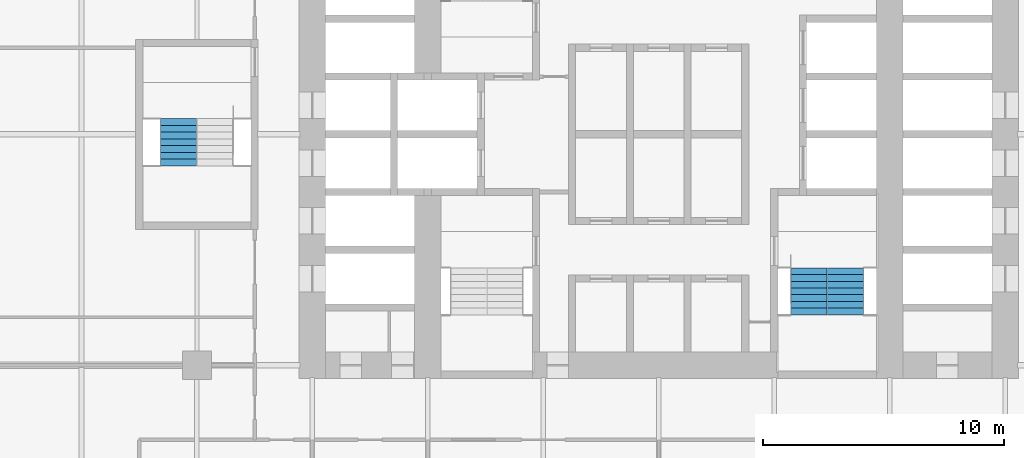
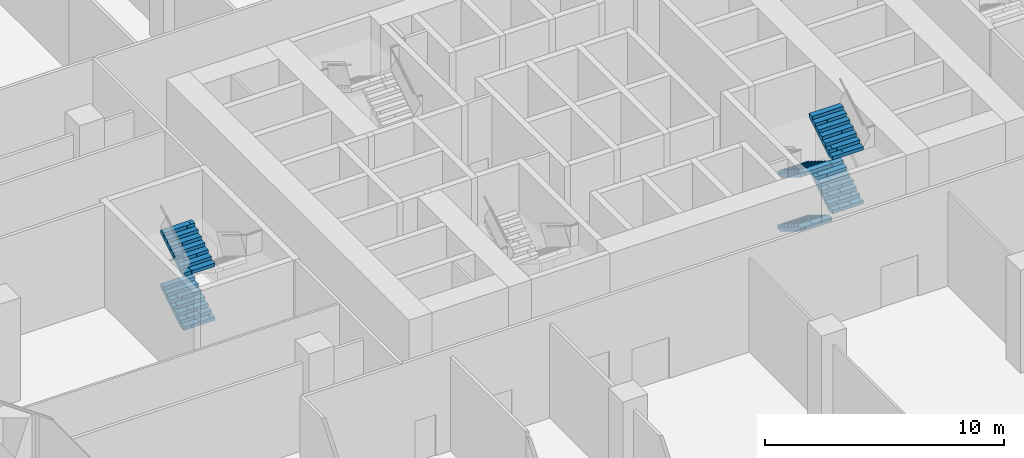
# One storey, part 23 of 27: 6 stair flights, 2 elements without a shape of their own.
"""IFC4 building model written with IfcOpenShell, lengths in metres."""

from ifc_helpers import new_model, si_unit, direction, frame, origin, place, context, subcontext, project, spatial, polyline, outline, extrude, material, type_object, element, aggregate, save


model = new_model("IFC4")

# Units and contexts
model_context = context("Model", 3, precision=1e-05, world=origin(), true_north=direction((0.0, 1.0)))
body_context = subcontext(model_context, "Body", "Model", "MODEL_VIEW")
ifc_project = project(units=[si_unit("LENGTHUNIT", "METRE"), si_unit("AREAUNIT", "SQUARE_METRE"), si_unit("VOLUMEUNIT", "CUBIC_METRE"), si_unit("PLANEANGLEUNIT", "RADIAN"), si_unit("MASSUNIT", "GRAM", prefix="KILO")], contexts=[model_context])

# Site, building, storey
site_placement = place(None, origin())
site = spatial("IfcSite", under=ifc_project, at=site_placement, CompositionType="ELEMENT")
building_placement = place(site_placement, origin())
building = spatial("IfcBuilding", under=site, at=building_placement, Name="Kolab Exchange Tower", CompositionType="ELEMENT")
storey_placement = place(building_placement, frame((0.0, 0.0, 27.89990234375)))
storey = spatial("IfcBuildingStorey", under=building, at=storey_placement, Name="L05", CompositionType="ELEMENT", Elevation=27.89990234375)

# Stair, stair flights
ifc_material = material(Name="Concrete C50/60", Category="concrete")
stair_type_1 = type_object("IfcStairType", Name="STAIR ST2 RISER 171.9", PredefinedType="DOUBLE_RETURN_STAIR", material=ifc_material)
stair_1_placement = place(storey_placement, origin())
stair_1 = element("IfcStair", 1, at=stair_1_placement, inside=storey, type_object=stair_type_1, Name="Stair 2", PredefinedType="DOUBLE_RETURN_STAIR")
stair_flight_type = type_object("IfcStairFlightType", Name="STAIR FLIGHT 1500 RISER 171.9", PredefinedType="STRAIGHT", material=ifc_material)
stair_flight_1_placement = place(storey_placement, frame((6.239990234375, -5.550048828125, 0.0), z_axis=(0.0, 0.0, 1.0), x_axis=(0.0, -1.0, 0.0)))
stair_flight_1 = element("IfcStairFlight", 2, at=stair_flight_1_placement, type_object=stair_flight_type, Name="ST2 flight 1", NumberOfRisers=8, NumberOfTreads=7, PredefinedType="STRAIGHT", RiserHeight=0.171875, TreadLength=0.28, context=body_context, shape_type="SweptSolid", body=[
    extrude(outline(polyline([(0.0, 0.0), (0.0, 0.171875), (0.280029296875, 0.171875), (0.280029296875, 0.34375), (0.56005859375, 0.34375), (0.56005859375, 0.515625), (0.840087890625, 0.515625), (0.840087890625, 0.6875), (1.1201171875, 0.6875), (1.1201171875, 0.859375), (1.39990234375, 0.859375), (1.39990234375, 1.03125), (1.679931640625, 1.03125), (1.679931640625, 1.203125), (1.9599609375, 1.203125), (1.9599609375, 1.375), (1.9599609375, 1.02734375), (0.28662109375, 0.0), (0.0, 0.0)])), frame((0.0, 0.75, 0.0), z_axis=(0.0, -1.0, 0.0), x_axis=(1.0, 0.0, 0.0)), (0.0, 0.0, 1.0), 0.185791015625),
    extrude(outline(polyline([(0.0, 0.0), (0.0, 0.171875), (0.280029296875, 0.171875), (0.280029296875, 0.34375), (0.56005859375, 0.34375), (0.56005859375, 0.515625), (0.840087890625, 0.515625), (0.840087890625, 0.6875), (1.1201171875, 0.6875), (1.1201171875, 0.859375), (1.39990234375, 0.859375), (1.39990234375, 1.03125), (1.679931640625, 1.03125), (1.679931640625, 1.203125), (1.9599609375, 1.203125), (1.9599609375, 1.375), (1.9599609375, 1.02734375), (0.28662109375, 0.0), (0.0, 0.0)])), frame((0.0, 0.562255859375, 0.0), z_axis=(0.0, -1.0, 0.0), x_axis=(1.0, 0.0, 0.0)), (0.0, 0.0, 1.0), 0.185791015625),
    extrude(outline(polyline([(0.0, 0.0), (0.0, 0.171875), (0.280029296875, 0.171875), (0.280029296875, 0.34375), (0.56005859375, 0.34375), (0.56005859375, 0.515625), (0.840087890625, 0.515625), (0.840087890625, 0.6875), (1.1201171875, 0.6875), (1.1201171875, 0.859375), (1.39990234375, 0.859375), (1.39990234375, 1.03125), (1.679931640625, 1.03125), (1.679931640625, 1.203125), (1.9599609375, 1.203125), (1.9599609375, 1.375), (1.9599609375, 1.02734375), (0.28662109375, 0.0), (0.0, 0.0)])), frame((0.0, 0.37451171875, 0.0), z_axis=(0.0, -1.0, 0.0), x_axis=(1.0, 0.0, 0.0)), (0.0, 0.0, 1.0), 0.185791015625),
    extrude(outline(polyline([(0.0, 0.0), (0.0, 0.171875), (0.280029296875, 0.171875), (0.280029296875, 0.34375), (0.56005859375, 0.34375), (0.56005859375, 0.515625), (0.840087890625, 0.515625), (0.840087890625, 0.6875), (1.1201171875, 0.6875), (1.1201171875, 0.859375), (1.39990234375, 0.859375), (1.39990234375, 1.03125), (1.679931640625, 1.03125), (1.679931640625, 1.203125), (1.9599609375, 1.203125), (1.9599609375, 1.375), (1.9599609375, 1.02734375), (0.28662109375, 0.0), (0.0, 0.0)])), frame((0.0, 0.186767578125, 0.0), z_axis=(0.0, -1.0, 0.0), x_axis=(1.0, 0.0, 0.0)), (0.0, 0.0, 1.0), 0.185791015625),
    extrude(outline(polyline([(0.0, 0.0), (0.0, 0.171875), (0.280029296875, 0.171875), (0.280029296875, 0.34375), (0.56005859375, 0.34375), (0.56005859375, 0.515625), (0.840087890625, 0.515625), (0.840087890625, 0.6875), (1.1201171875, 0.6875), (1.1201171875, 0.859375), (1.39990234375, 0.859375), (1.39990234375, 1.03125), (1.679931640625, 1.03125), (1.679931640625, 1.203125), (1.9599609375, 1.203125), (1.9599609375, 1.375), (1.9599609375, 1.02734375), (0.28662109375, 0.0), (0.0, 0.0)])), frame((0.0, -0.0009765625, 0.0), z_axis=(0.0, -1.0, 0.0), x_axis=(1.0, 0.0, 0.0)), (0.0, 0.0, 1.0), 0.185791015625),
    extrude(outline(polyline([(0.0, 0.0), (0.0, 0.171875), (0.280029296875, 0.171875), (0.280029296875, 0.34375), (0.56005859375, 0.34375), (0.56005859375, 0.515625), (0.840087890625, 0.515625), (0.840087890625, 0.6875), (1.1201171875, 0.6875), (1.1201171875, 0.859375), (1.39990234375, 0.859375), (1.39990234375, 1.03125), (1.679931640625, 1.03125), (1.679931640625, 1.203125), (1.9599609375, 1.203125), (1.9599609375, 1.375), (1.9599609375, 1.02734375), (0.28662109375, 0.0), (0.0, 0.0)])), frame((0.0, -0.188720703125, 0.0), z_axis=(0.0, -1.0, 0.0), x_axis=(1.0, 0.0, 0.0)), (0.0, 0.0, 1.0), 0.185791015625),
    extrude(outline(polyline([(0.0, 0.0), (0.0, 0.171875), (0.280029296875, 0.171875), (0.280029296875, 0.34375), (0.56005859375, 0.34375), (0.56005859375, 0.515625), (0.840087890625, 0.515625), (0.840087890625, 0.6875), (1.1201171875, 0.6875), (1.1201171875, 0.859375), (1.39990234375, 0.859375), (1.39990234375, 1.03125), (1.679931640625, 1.03125), (1.679931640625, 1.203125), (1.9599609375, 1.203125), (1.9599609375, 1.375), (1.9599609375, 1.02734375), (0.28662109375, 0.0), (0.0, 0.0)])), frame((0.0, -0.37646484375, 0.0), z_axis=(0.0, -1.0, 0.0), x_axis=(1.0, 0.0, 0.0)), (0.0, 0.0, 1.0), 0.185791015625),
    extrude(outline(polyline([(0.0, 0.0), (0.0, 0.171875), (0.280029296875, 0.171875), (0.280029296875, 0.34375), (0.56005859375, 0.34375), (0.56005859375, 0.515625), (0.840087890625, 0.515625), (0.840087890625, 0.6875), (1.1201171875, 0.6875), (1.1201171875, 0.859375), (1.39990234375, 0.859375), (1.39990234375, 1.03125), (1.679931640625, 1.03125), (1.679931640625, 1.203125), (1.9599609375, 1.203125), (1.9599609375, 1.375), (1.9599609375, 1.02734375), (0.28662109375, 0.0), (0.0, 0.0)])), frame((0.0, -0.564208984375, 0.0), z_axis=(0.0, -1.0, 0.0), x_axis=(1.0, 0.0, 0.0)), (0.0, 0.0, 1.0), 0.185791015625),
])
stair_flight_2_placement = place(storey_placement, frame((7.760009765625, -7.510009765625, 1.375), z_axis=(0.0, 0.0, 1.0), x_axis=(0.0, 1.0, 0.0)))
stair_flight_2 = element("IfcStairFlight", 3, at=stair_flight_2_placement, type_object=stair_flight_type, Name="ST2 flight 2", NumberOfRisers=8, NumberOfTreads=7, PredefinedType="STRAIGHT", RiserHeight=0.171875, TreadLength=0.28, context=body_context, shape_type="SweptSolid", body=[
    extrude(outline(polyline([(0.0, 0.0), (0.0, 0.171875), (0.280029296875, 0.171875), (0.280029296875, 0.34375), (0.56005859375, 0.34375), (0.56005859375, 0.515625), (0.840087890625, 0.515625), (0.840087890625, 0.6875), (1.1201171875, 0.6875), (1.1201171875, 0.859375), (1.39990234375, 0.859375), (1.39990234375, 1.03125), (1.679931640625, 1.03125), (1.679931640625, 1.203125), (1.9599609375, 1.203125), (1.9599609375, 1.375), (1.9599609375, 1.02734375), (0.28662109375, 0.0), (0.0, 0.0)])), frame((0.0, 0.75, 0.0), z_axis=(0.0, -1.0, 0.0), x_axis=(1.0, 0.0, 0.0)), (0.0, 0.0, 1.0), 0.185791015625),
    extrude(outline(polyline([(0.0, 0.0), (0.0, 0.171875), (0.280029296875, 0.171875), (0.280029296875, 0.34375), (0.56005859375, 0.34375), (0.56005859375, 0.515625), (0.840087890625, 0.515625), (0.840087890625, 0.6875), (1.1201171875, 0.6875), (1.1201171875, 0.859375), (1.39990234375, 0.859375), (1.39990234375, 1.03125), (1.679931640625, 1.03125), (1.679931640625, 1.203125), (1.9599609375, 1.203125), (1.9599609375, 1.375), (1.9599609375, 1.02734375), (0.28662109375, 0.0), (0.0, 0.0)])), frame((0.0, 0.562255859375, 0.0), z_axis=(0.0, -1.0, 0.0), x_axis=(1.0, 0.0, 0.0)), (0.0, 0.0, 1.0), 0.185791015625),
    extrude(outline(polyline([(0.0, 0.0), (0.0, 0.171875), (0.280029296875, 0.171875), (0.280029296875, 0.34375), (0.56005859375, 0.34375), (0.56005859375, 0.515625), (0.840087890625, 0.515625), (0.840087890625, 0.6875), (1.1201171875, 0.6875), (1.1201171875, 0.859375), (1.39990234375, 0.859375), (1.39990234375, 1.03125), (1.679931640625, 1.03125), (1.679931640625, 1.203125), (1.9599609375, 1.203125), (1.9599609375, 1.375), (1.9599609375, 1.02734375), (0.28662109375, 0.0), (0.0, 0.0)])), frame((0.0, 0.37451171875, 0.0), z_axis=(0.0, -1.0, 0.0), x_axis=(1.0, 0.0, 0.0)), (0.0, 0.0, 1.0), 0.185791015625),
    extrude(outline(polyline([(0.0, 0.0), (0.0, 0.171875), (0.280029296875, 0.171875), (0.280029296875, 0.34375), (0.56005859375, 0.34375), (0.56005859375, 0.515625), (0.840087890625, 0.515625), (0.840087890625, 0.6875), (1.1201171875, 0.6875), (1.1201171875, 0.859375), (1.39990234375, 0.859375), (1.39990234375, 1.03125), (1.679931640625, 1.03125), (1.679931640625, 1.203125), (1.9599609375, 1.203125), (1.9599609375, 1.375), (1.9599609375, 1.02734375), (0.28662109375, 0.0), (0.0, 0.0)])), frame((0.0, 0.186767578125, 0.0), z_axis=(0.0, -1.0, 0.0), x_axis=(1.0, 0.0, 0.0)), (0.0, 0.0, 1.0), 0.185791015625),
    extrude(outline(polyline([(0.0, 0.0), (0.0, 0.171875), (0.280029296875, 0.171875), (0.280029296875, 0.34375), (0.56005859375, 0.34375), (0.56005859375, 0.515625), (0.840087890625, 0.515625), (0.840087890625, 0.6875), (1.1201171875, 0.6875), (1.1201171875, 0.859375), (1.39990234375, 0.859375), (1.39990234375, 1.03125), (1.679931640625, 1.03125), (1.679931640625, 1.203125), (1.9599609375, 1.203125), (1.9599609375, 1.375), (1.9599609375, 1.02734375), (0.28662109375, 0.0), (0.0, 0.0)])), frame((0.0, -0.0009765625, 0.0), z_axis=(0.0, -1.0, 0.0), x_axis=(1.0, 0.0, 0.0)), (0.0, 0.0, 1.0), 0.185791015625),
    extrude(outline(polyline([(0.0, 0.0), (0.0, 0.171875), (0.280029296875, 0.171875), (0.280029296875, 0.34375), (0.56005859375, 0.34375), (0.56005859375, 0.515625), (0.840087890625, 0.515625), (0.840087890625, 0.6875), (1.1201171875, 0.6875), (1.1201171875, 0.859375), (1.39990234375, 0.859375), (1.39990234375, 1.03125), (1.679931640625, 1.03125), (1.679931640625, 1.203125), (1.9599609375, 1.203125), (1.9599609375, 1.375), (1.9599609375, 1.02734375), (0.28662109375, 0.0), (0.0, 0.0)])), frame((0.0, -0.188720703125, 0.0), z_axis=(0.0, -1.0, 0.0), x_axis=(1.0, 0.0, 0.0)), (0.0, 0.0, 1.0), 0.185791015625),
    extrude(outline(polyline([(0.0, 0.0), (0.0, 0.171875), (0.280029296875, 0.171875), (0.280029296875, 0.34375), (0.56005859375, 0.34375), (0.56005859375, 0.515625), (0.840087890625, 0.515625), (0.840087890625, 0.6875), (1.1201171875, 0.6875), (1.1201171875, 0.859375), (1.39990234375, 0.859375), (1.39990234375, 1.03125), (1.679931640625, 1.03125), (1.679931640625, 1.203125), (1.9599609375, 1.203125), (1.9599609375, 1.375), (1.9599609375, 1.02734375), (0.28662109375, 0.0), (0.0, 0.0)])), frame((0.0, -0.37646484375, 0.0), z_axis=(0.0, -1.0, 0.0), x_axis=(1.0, 0.0, 0.0)), (0.0, 0.0, 1.0), 0.185791015625),
    extrude(outline(polyline([(0.0, 0.0), (0.0, 0.171875), (0.280029296875, 0.171875), (0.280029296875, 0.34375), (0.56005859375, 0.34375), (0.56005859375, 0.515625), (0.840087890625, 0.515625), (0.840087890625, 0.6875), (1.1201171875, 0.6875), (1.1201171875, 0.859375), (1.39990234375, 0.859375), (1.39990234375, 1.03125), (1.679931640625, 1.03125), (1.679931640625, 1.203125), (1.9599609375, 1.203125), (1.9599609375, 1.375), (1.9599609375, 1.02734375), (0.28662109375, 0.0), (0.0, 0.0)])), frame((0.0, -0.564208984375, 0.0), z_axis=(0.0, -1.0, 0.0), x_axis=(1.0, 0.0, 0.0)), (0.0, 0.0, 1.0), 0.185791015625),
])
stair_flight_3_placement = place(storey_placement, frame((6.239990234375, -5.550048828125, 2.75), z_axis=(0.0, 0.0, 1.0), x_axis=(0.0, -1.0, 0.0)))
stair_flight_3 = element("IfcStairFlight", 4, at=stair_flight_3_placement, type_object=stair_flight_type, Name="ST2 flight 3", NumberOfRisers=8, NumberOfTreads=7, PredefinedType="STRAIGHT", RiserHeight=0.171875, TreadLength=0.28, context=body_context, shape_type="SweptSolid", body=[
    extrude(outline(polyline([(0.0, 0.0), (0.0, 0.171875), (0.280029296875, 0.171875), (0.280029296875, 0.34375), (0.56005859375, 0.34375), (0.56005859375, 0.515625), (0.840087890625, 0.515625), (0.840087890625, 0.6875), (1.1201171875, 0.6875), (1.1201171875, 0.859375), (1.39990234375, 0.859375), (1.39990234375, 1.03125), (1.679931640625, 1.03125), (1.679931640625, 1.203125), (1.9599609375, 1.203125), (1.9599609375, 1.375), (1.9599609375, 1.02734375), (0.28662109375, 0.0), (0.0, 0.0)])), frame((0.0, 0.75, 0.0), z_axis=(0.0, -1.0, 0.0), x_axis=(1.0, 0.0, 0.0)), (0.0, 0.0, 1.0), 0.185791015625),
    extrude(outline(polyline([(0.0, 0.0), (0.0, 0.171875), (0.280029296875, 0.171875), (0.280029296875, 0.34375), (0.56005859375, 0.34375), (0.56005859375, 0.515625), (0.840087890625, 0.515625), (0.840087890625, 0.6875), (1.1201171875, 0.6875), (1.1201171875, 0.859375), (1.39990234375, 0.859375), (1.39990234375, 1.03125), (1.679931640625, 1.03125), (1.679931640625, 1.203125), (1.9599609375, 1.203125), (1.9599609375, 1.375), (1.9599609375, 1.02734375), (0.28662109375, 0.0), (0.0, 0.0)])), frame((0.0, 0.562255859375, 0.0), z_axis=(0.0, -1.0, 0.0), x_axis=(1.0, 0.0, 0.0)), (0.0, 0.0, 1.0), 0.185791015625),
    extrude(outline(polyline([(0.0, 0.0), (0.0, 0.171875), (0.280029296875, 0.171875), (0.280029296875, 0.34375), (0.56005859375, 0.34375), (0.56005859375, 0.515625), (0.840087890625, 0.515625), (0.840087890625, 0.6875), (1.1201171875, 0.6875), (1.1201171875, 0.859375), (1.39990234375, 0.859375), (1.39990234375, 1.03125), (1.679931640625, 1.03125), (1.679931640625, 1.203125), (1.9599609375, 1.203125), (1.9599609375, 1.375), (1.9599609375, 1.02734375), (0.28662109375, 0.0), (0.0, 0.0)])), frame((0.0, 0.37451171875, 0.0), z_axis=(0.0, -1.0, 0.0), x_axis=(1.0, 0.0, 0.0)), (0.0, 0.0, 1.0), 0.185791015625),
    extrude(outline(polyline([(0.0, 0.0), (0.0, 0.171875), (0.280029296875, 0.171875), (0.280029296875, 0.34375), (0.56005859375, 0.34375), (0.56005859375, 0.515625), (0.840087890625, 0.515625), (0.840087890625, 0.6875), (1.1201171875, 0.6875), (1.1201171875, 0.859375), (1.39990234375, 0.859375), (1.39990234375, 1.03125), (1.679931640625, 1.03125), (1.679931640625, 1.203125), (1.9599609375, 1.203125), (1.9599609375, 1.375), (1.9599609375, 1.02734375), (0.28662109375, 0.0), (0.0, 0.0)])), frame((0.0, 0.186767578125, 0.0), z_axis=(0.0, -1.0, 0.0), x_axis=(1.0, 0.0, 0.0)), (0.0, 0.0, 1.0), 0.185791015625),
    extrude(outline(polyline([(0.0, 0.0), (0.0, 0.171875), (0.280029296875, 0.171875), (0.280029296875, 0.34375), (0.56005859375, 0.34375), (0.56005859375, 0.515625), (0.840087890625, 0.515625), (0.840087890625, 0.6875), (1.1201171875, 0.6875), (1.1201171875, 0.859375), (1.39990234375, 0.859375), (1.39990234375, 1.03125), (1.679931640625, 1.03125), (1.679931640625, 1.203125), (1.9599609375, 1.203125), (1.9599609375, 1.375), (1.9599609375, 1.02734375), (0.28662109375, 0.0), (0.0, 0.0)])), frame((0.0, -0.0009765625, 0.0), z_axis=(0.0, -1.0, 0.0), x_axis=(1.0, 0.0, 0.0)), (0.0, 0.0, 1.0), 0.185791015625),
    extrude(outline(polyline([(0.0, 0.0), (0.0, 0.171875), (0.280029296875, 0.171875), (0.280029296875, 0.34375), (0.56005859375, 0.34375), (0.56005859375, 0.515625), (0.840087890625, 0.515625), (0.840087890625, 0.6875), (1.1201171875, 0.6875), (1.1201171875, 0.859375), (1.39990234375, 0.859375), (1.39990234375, 1.03125), (1.679931640625, 1.03125), (1.679931640625, 1.203125), (1.9599609375, 1.203125), (1.9599609375, 1.375), (1.9599609375, 1.02734375), (0.28662109375, 0.0), (0.0, 0.0)])), frame((0.0, -0.188720703125, 0.0), z_axis=(0.0, -1.0, 0.0), x_axis=(1.0, 0.0, 0.0)), (0.0, 0.0, 1.0), 0.185791015625),
    extrude(outline(polyline([(0.0, 0.0), (0.0, 0.171875), (0.280029296875, 0.171875), (0.280029296875, 0.34375), (0.56005859375, 0.34375), (0.56005859375, 0.515625), (0.840087890625, 0.515625), (0.840087890625, 0.6875), (1.1201171875, 0.6875), (1.1201171875, 0.859375), (1.39990234375, 0.859375), (1.39990234375, 1.03125), (1.679931640625, 1.03125), (1.679931640625, 1.203125), (1.9599609375, 1.203125), (1.9599609375, 1.375), (1.9599609375, 1.02734375), (0.28662109375, 0.0), (0.0, 0.0)])), frame((0.0, -0.37646484375, 0.0), z_axis=(0.0, -1.0, 0.0), x_axis=(1.0, 0.0, 0.0)), (0.0, 0.0, 1.0), 0.185791015625),
    extrude(outline(polyline([(0.0, 0.0), (0.0, 0.171875), (0.280029296875, 0.171875), (0.280029296875, 0.34375), (0.56005859375, 0.34375), (0.56005859375, 0.515625), (0.840087890625, 0.515625), (0.840087890625, 0.6875), (1.1201171875, 0.6875), (1.1201171875, 0.859375), (1.39990234375, 0.859375), (1.39990234375, 1.03125), (1.679931640625, 1.03125), (1.679931640625, 1.203125), (1.9599609375, 1.203125), (1.9599609375, 1.375), (1.9599609375, 1.02734375), (0.28662109375, 0.0), (0.0, 0.0)])), frame((0.0, -0.564208984375, 0.0), z_axis=(0.0, -1.0, 0.0), x_axis=(1.0, 0.0, 0.0)), (0.0, 0.0, 1.0), 0.185791015625),
])
stair_flight_4_placement = place(storey_placement, frame((7.760009765625, -7.510009765625, 4.125), z_axis=(0.0, 0.0, 1.0), x_axis=(0.0, 1.0, 0.0)))
stair_flight_4 = element("IfcStairFlight", 5, at=stair_flight_4_placement, type_object=stair_flight_type, Name="ST2 flight 4", NumberOfRisers=8, NumberOfTreads=7, PredefinedType="STRAIGHT", RiserHeight=0.171875, TreadLength=0.28, context=body_context, shape_type="SweptSolid", body=[
    extrude(outline(polyline([(0.0, 0.0), (0.0, 0.171875), (0.280029296875, 0.171875), (0.280029296875, 0.34375), (0.56005859375, 0.34375), (0.56005859375, 0.515625), (0.840087890625, 0.515625), (0.840087890625, 0.6875), (1.1201171875, 0.6875), (1.1201171875, 0.859375), (1.39990234375, 0.859375), (1.39990234375, 1.03125), (1.679931640625, 1.03125), (1.679931640625, 1.203125), (1.9599609375, 1.203125), (1.9599609375, 1.375), (1.9599609375, 1.02734375), (0.28662109375, 0.0), (0.0, 0.0)])), frame((0.0, 0.75, 0.0), z_axis=(0.0, -1.0, 0.0), x_axis=(1.0, 0.0, 0.0)), (0.0, 0.0, 1.0), 0.185791015625),
    extrude(outline(polyline([(0.0, 0.0), (0.0, 0.171875), (0.280029296875, 0.171875), (0.280029296875, 0.34375), (0.56005859375, 0.34375), (0.56005859375, 0.515625), (0.840087890625, 0.515625), (0.840087890625, 0.6875), (1.1201171875, 0.6875), (1.1201171875, 0.859375), (1.39990234375, 0.859375), (1.39990234375, 1.03125), (1.679931640625, 1.03125), (1.679931640625, 1.203125), (1.9599609375, 1.203125), (1.9599609375, 1.375), (1.9599609375, 1.02734375), (0.28662109375, 0.0), (0.0, 0.0)])), frame((0.0, 0.562255859375, 0.0), z_axis=(0.0, -1.0, 0.0), x_axis=(1.0, 0.0, 0.0)), (0.0, 0.0, 1.0), 0.185791015625),
    extrude(outline(polyline([(0.0, 0.0), (0.0, 0.171875), (0.280029296875, 0.171875), (0.280029296875, 0.34375), (0.56005859375, 0.34375), (0.56005859375, 0.515625), (0.840087890625, 0.515625), (0.840087890625, 0.6875), (1.1201171875, 0.6875), (1.1201171875, 0.859375), (1.39990234375, 0.859375), (1.39990234375, 1.03125), (1.679931640625, 1.03125), (1.679931640625, 1.203125), (1.9599609375, 1.203125), (1.9599609375, 1.375), (1.9599609375, 1.02734375), (0.28662109375, 0.0), (0.0, 0.0)])), frame((0.0, 0.37451171875, 0.0), z_axis=(0.0, -1.0, 0.0), x_axis=(1.0, 0.0, 0.0)), (0.0, 0.0, 1.0), 0.185791015625),
    extrude(outline(polyline([(0.0, 0.0), (0.0, 0.171875), (0.280029296875, 0.171875), (0.280029296875, 0.34375), (0.56005859375, 0.34375), (0.56005859375, 0.515625), (0.840087890625, 0.515625), (0.840087890625, 0.6875), (1.1201171875, 0.6875), (1.1201171875, 0.859375), (1.39990234375, 0.859375), (1.39990234375, 1.03125), (1.679931640625, 1.03125), (1.679931640625, 1.203125), (1.9599609375, 1.203125), (1.9599609375, 1.375), (1.9599609375, 1.02734375), (0.28662109375, 0.0), (0.0, 0.0)])), frame((0.0, 0.186767578125, 0.0), z_axis=(0.0, -1.0, 0.0), x_axis=(1.0, 0.0, 0.0)), (0.0, 0.0, 1.0), 0.185791015625),
    extrude(outline(polyline([(0.0, 0.0), (0.0, 0.171875), (0.280029296875, 0.171875), (0.280029296875, 0.34375), (0.56005859375, 0.34375), (0.56005859375, 0.515625), (0.840087890625, 0.515625), (0.840087890625, 0.6875), (1.1201171875, 0.6875), (1.1201171875, 0.859375), (1.39990234375, 0.859375), (1.39990234375, 1.03125), (1.679931640625, 1.03125), (1.679931640625, 1.203125), (1.9599609375, 1.203125), (1.9599609375, 1.375), (1.9599609375, 1.02734375), (0.28662109375, 0.0), (0.0, 0.0)])), frame((0.0, -0.0009765625, 0.0), z_axis=(0.0, -1.0, 0.0), x_axis=(1.0, 0.0, 0.0)), (0.0, 0.0, 1.0), 0.185791015625),
    extrude(outline(polyline([(0.0, 0.0), (0.0, 0.171875), (0.280029296875, 0.171875), (0.280029296875, 0.34375), (0.56005859375, 0.34375), (0.56005859375, 0.515625), (0.840087890625, 0.515625), (0.840087890625, 0.6875), (1.1201171875, 0.6875), (1.1201171875, 0.859375), (1.39990234375, 0.859375), (1.39990234375, 1.03125), (1.679931640625, 1.03125), (1.679931640625, 1.203125), (1.9599609375, 1.203125), (1.9599609375, 1.375), (1.9599609375, 1.02734375), (0.28662109375, 0.0), (0.0, 0.0)])), frame((0.0, -0.188720703125, 0.0), z_axis=(0.0, -1.0, 0.0), x_axis=(1.0, 0.0, 0.0)), (0.0, 0.0, 1.0), 0.185791015625),
    extrude(outline(polyline([(0.0, 0.0), (0.0, 0.171875), (0.280029296875, 0.171875), (0.280029296875, 0.34375), (0.56005859375, 0.34375), (0.56005859375, 0.515625), (0.840087890625, 0.515625), (0.840087890625, 0.6875), (1.1201171875, 0.6875), (1.1201171875, 0.859375), (1.39990234375, 0.859375), (1.39990234375, 1.03125), (1.679931640625, 1.03125), (1.679931640625, 1.203125), (1.9599609375, 1.203125), (1.9599609375, 1.375), (1.9599609375, 1.02734375), (0.28662109375, 0.0), (0.0, 0.0)])), frame((0.0, -0.37646484375, 0.0), z_axis=(0.0, -1.0, 0.0), x_axis=(1.0, 0.0, 0.0)), (0.0, 0.0, 1.0), 0.185791015625),
    extrude(outline(polyline([(0.0, 0.0), (0.0, 0.171875), (0.280029296875, 0.171875), (0.280029296875, 0.34375), (0.56005859375, 0.34375), (0.56005859375, 0.515625), (0.840087890625, 0.515625), (0.840087890625, 0.6875), (1.1201171875, 0.6875), (1.1201171875, 0.859375), (1.39990234375, 0.859375), (1.39990234375, 1.03125), (1.679931640625, 1.03125), (1.679931640625, 1.203125), (1.9599609375, 1.203125), (1.9599609375, 1.375), (1.9599609375, 1.02734375), (0.28662109375, 0.0), (0.0, 0.0)])), frame((0.0, -0.564208984375, 0.0), z_axis=(0.0, -1.0, 0.0), x_axis=(1.0, 0.0, 0.0)), (0.0, 0.0, 1.0), 0.185791015625),
])
aggregate(stair_1, [stair_flight_1, stair_flight_2, stair_flight_3, stair_flight_4])

stair_type_2 = type_object("IfcStairType", Name="STAIR ST5 RISER 171.9", PredefinedType="DOUBLE_RETURN_STAIR", material=ifc_material)
stair_2_placement = place(storey_placement, origin())
stair_2 = element("IfcStair", 6, at=stair_2_placement, inside=storey, type_object=stair_type_2, Name="Stair 5", PredefinedType="DOUBLE_RETURN_STAIR")
stair_flight_5_placement = place(storey_placement, frame((-19.9599609375, -1.31005859375, 1.375), z_axis=(0.0, 0.0, 1.0), x_axis=(0.0, 1.0, 0.0)))
stair_flight_5 = element("IfcStairFlight", 7, at=stair_flight_5_placement, type_object=stair_flight_type, Name="ST5 flight 2", NumberOfRisers=8, NumberOfTreads=7, PredefinedType="STRAIGHT", RiserHeight=0.171875, TreadLength=0.28, context=body_context, shape_type="SweptSolid", body=[
    extrude(outline(polyline([(0.0, 0.0), (0.0, 0.171875), (0.280029296875, 0.171875), (0.280029296875, 0.34375), (0.56005859375, 0.34375), (0.56005859375, 0.515625), (0.840087890625, 0.515625), (0.840087890625, 0.6875), (1.1201171875, 0.6875), (1.1201171875, 0.859375), (1.39990234375, 0.859375), (1.39990234375, 1.03125), (1.679931640625, 1.03125), (1.679931640625, 1.203125), (1.9599609375, 1.203125), (1.9599609375, 1.375), (1.9599609375, 1.02734375), (0.28662109375, 0.0), (0.0, 0.0)])), frame((0.0, 0.75, 0.0), z_axis=(0.0, -1.0, 0.0), x_axis=(1.0, 0.0, 0.0)), (0.0, 0.0, 1.0), 0.185791015625),
    extrude(outline(polyline([(0.0, 0.0), (0.0, 0.171875), (0.280029296875, 0.171875), (0.280029296875, 0.34375), (0.56005859375, 0.34375), (0.56005859375, 0.515625), (0.840087890625, 0.515625), (0.840087890625, 0.6875), (1.1201171875, 0.6875), (1.1201171875, 0.859375), (1.39990234375, 0.859375), (1.39990234375, 1.03125), (1.679931640625, 1.03125), (1.679931640625, 1.203125), (1.9599609375, 1.203125), (1.9599609375, 1.375), (1.9599609375, 1.02734375), (0.28662109375, 0.0), (0.0, 0.0)])), frame((0.0, 0.562255859375, 0.0), z_axis=(0.0, -1.0, 0.0), x_axis=(1.0, 0.0, 0.0)), (0.0, 0.0, 1.0), 0.185791015625),
    extrude(outline(polyline([(0.0, 0.0), (0.0, 0.171875), (0.280029296875, 0.171875), (0.280029296875, 0.34375), (0.56005859375, 0.34375), (0.56005859375, 0.515625), (0.840087890625, 0.515625), (0.840087890625, 0.6875), (1.1201171875, 0.6875), (1.1201171875, 0.859375), (1.39990234375, 0.859375), (1.39990234375, 1.03125), (1.679931640625, 1.03125), (1.679931640625, 1.203125), (1.9599609375, 1.203125), (1.9599609375, 1.375), (1.9599609375, 1.02734375), (0.28662109375, 0.0), (0.0, 0.0)])), frame((0.0, 0.37451171875, 0.0), z_axis=(0.0, -1.0, 0.0), x_axis=(1.0, 0.0, 0.0)), (0.0, 0.0, 1.0), 0.185791015625),
    extrude(outline(polyline([(0.0, 0.0), (0.0, 0.171875), (0.280029296875, 0.171875), (0.280029296875, 0.34375), (0.56005859375, 0.34375), (0.56005859375, 0.515625), (0.840087890625, 0.515625), (0.840087890625, 0.6875), (1.1201171875, 0.6875), (1.1201171875, 0.859375), (1.39990234375, 0.859375), (1.39990234375, 1.03125), (1.679931640625, 1.03125), (1.679931640625, 1.203125), (1.9599609375, 1.203125), (1.9599609375, 1.375), (1.9599609375, 1.02734375), (0.28662109375, 0.0), (0.0, 0.0)])), frame((0.0, 0.186767578125, 0.0), z_axis=(0.0, -1.0, 0.0), x_axis=(1.0, 0.0, 0.0)), (0.0, 0.0, 1.0), 0.185791015625),
    extrude(outline(polyline([(0.0, 0.0), (0.0, 0.171875), (0.280029296875, 0.171875), (0.280029296875, 0.34375), (0.56005859375, 0.34375), (0.56005859375, 0.515625), (0.840087890625, 0.515625), (0.840087890625, 0.6875), (1.1201171875, 0.6875), (1.1201171875, 0.859375), (1.39990234375, 0.859375), (1.39990234375, 1.03125), (1.679931640625, 1.03125), (1.679931640625, 1.203125), (1.9599609375, 1.203125), (1.9599609375, 1.375), (1.9599609375, 1.02734375), (0.28662109375, 0.0), (0.0, 0.0)])), frame((0.0, -0.0009765625, 0.0), z_axis=(0.0, -1.0, 0.0), x_axis=(1.0, 0.0, 0.0)), (0.0, 0.0, 1.0), 0.185791015625),
    extrude(outline(polyline([(0.0, 0.0), (0.0, 0.171875), (0.280029296875, 0.171875), (0.280029296875, 0.34375), (0.56005859375, 0.34375), (0.56005859375, 0.515625), (0.840087890625, 0.515625), (0.840087890625, 0.6875), (1.1201171875, 0.6875), (1.1201171875, 0.859375), (1.39990234375, 0.859375), (1.39990234375, 1.03125), (1.679931640625, 1.03125), (1.679931640625, 1.203125), (1.9599609375, 1.203125), (1.9599609375, 1.375), (1.9599609375, 1.02734375), (0.28662109375, 0.0), (0.0, 0.0)])), frame((0.0, -0.188720703125, 0.0), z_axis=(0.0, -1.0, 0.0), x_axis=(1.0, 0.0, 0.0)), (0.0, 0.0, 1.0), 0.185791015625),
    extrude(outline(polyline([(0.0, 0.0), (0.0, 0.171875), (0.280029296875, 0.171875), (0.280029296875, 0.34375), (0.56005859375, 0.34375), (0.56005859375, 0.515625), (0.840087890625, 0.515625), (0.840087890625, 0.6875), (1.1201171875, 0.6875), (1.1201171875, 0.859375), (1.39990234375, 0.859375), (1.39990234375, 1.03125), (1.679931640625, 1.03125), (1.679931640625, 1.203125), (1.9599609375, 1.203125), (1.9599609375, 1.375), (1.9599609375, 1.02734375), (0.28662109375, 0.0), (0.0, 0.0)])), frame((0.0, -0.37646484375, 0.0), z_axis=(0.0, -1.0, 0.0), x_axis=(1.0, 0.0, 0.0)), (0.0, 0.0, 1.0), 0.185791015625),
    extrude(outline(polyline([(0.0, 0.0), (0.0, 0.171875), (0.280029296875, 0.171875), (0.280029296875, 0.34375), (0.56005859375, 0.34375), (0.56005859375, 0.515625), (0.840087890625, 0.515625), (0.840087890625, 0.6875), (1.1201171875, 0.6875), (1.1201171875, 0.859375), (1.39990234375, 0.859375), (1.39990234375, 1.03125), (1.679931640625, 1.03125), (1.679931640625, 1.203125), (1.9599609375, 1.203125), (1.9599609375, 1.375), (1.9599609375, 1.02734375), (0.28662109375, 0.0), (0.0, 0.0)])), frame((0.0, -0.564208984375, 0.0), z_axis=(0.0, -1.0, 0.0), x_axis=(1.0, 0.0, 0.0)), (0.0, 0.0, 1.0), 0.185791015625),
])
stair_flight_6_placement = place(storey_placement, frame((-19.9599609375, -1.31005859375, 4.125), z_axis=(0.0, 0.0, 1.0), x_axis=(0.0, 1.0, 0.0)))
stair_flight_6 = element("IfcStairFlight", 8, at=stair_flight_6_placement, type_object=stair_flight_type, Name="ST5 flight 4", NumberOfRisers=8, NumberOfTreads=7, PredefinedType="STRAIGHT", RiserHeight=0.171875, TreadLength=0.28, context=body_context, shape_type="SweptSolid", body=[
    extrude(outline(polyline([(0.0, 0.0), (0.0, 0.171875), (0.280029296875, 0.171875), (0.280029296875, 0.34375), (0.56005859375, 0.34375), (0.56005859375, 0.515625), (0.840087890625, 0.515625), (0.840087890625, 0.6875), (1.1201171875, 0.6875), (1.1201171875, 0.859375), (1.39990234375, 0.859375), (1.39990234375, 1.03125), (1.679931640625, 1.03125), (1.679931640625, 1.203125), (1.9599609375, 1.203125), (1.9599609375, 1.375), (1.9599609375, 1.02734375), (0.28662109375, 0.0), (0.0, 0.0)])), frame((0.0, 0.75, 0.0), z_axis=(0.0, -1.0, 0.0), x_axis=(1.0, 0.0, 0.0)), (0.0, 0.0, 1.0), 0.185791015625),
    extrude(outline(polyline([(0.0, 0.0), (0.0, 0.171875), (0.280029296875, 0.171875), (0.280029296875, 0.34375), (0.56005859375, 0.34375), (0.56005859375, 0.515625), (0.840087890625, 0.515625), (0.840087890625, 0.6875), (1.1201171875, 0.6875), (1.1201171875, 0.859375), (1.39990234375, 0.859375), (1.39990234375, 1.03125), (1.679931640625, 1.03125), (1.679931640625, 1.203125), (1.9599609375, 1.203125), (1.9599609375, 1.375), (1.9599609375, 1.02734375), (0.28662109375, 0.0), (0.0, 0.0)])), frame((0.0, 0.562255859375, 0.0), z_axis=(0.0, -1.0, 0.0), x_axis=(1.0, 0.0, 0.0)), (0.0, 0.0, 1.0), 0.185791015625),
    extrude(outline(polyline([(0.0, 0.0), (0.0, 0.171875), (0.280029296875, 0.171875), (0.280029296875, 0.34375), (0.56005859375, 0.34375), (0.56005859375, 0.515625), (0.840087890625, 0.515625), (0.840087890625, 0.6875), (1.1201171875, 0.6875), (1.1201171875, 0.859375), (1.39990234375, 0.859375), (1.39990234375, 1.03125), (1.679931640625, 1.03125), (1.679931640625, 1.203125), (1.9599609375, 1.203125), (1.9599609375, 1.375), (1.9599609375, 1.02734375), (0.28662109375, 0.0), (0.0, 0.0)])), frame((0.0, 0.37451171875, 0.0), z_axis=(0.0, -1.0, 0.0), x_axis=(1.0, 0.0, 0.0)), (0.0, 0.0, 1.0), 0.185791015625),
    extrude(outline(polyline([(0.0, 0.0), (0.0, 0.171875), (0.280029296875, 0.171875), (0.280029296875, 0.34375), (0.56005859375, 0.34375), (0.56005859375, 0.515625), (0.840087890625, 0.515625), (0.840087890625, 0.6875), (1.1201171875, 0.6875), (1.1201171875, 0.859375), (1.39990234375, 0.859375), (1.39990234375, 1.03125), (1.679931640625, 1.03125), (1.679931640625, 1.203125), (1.9599609375, 1.203125), (1.9599609375, 1.375), (1.9599609375, 1.02734375), (0.28662109375, 0.0), (0.0, 0.0)])), frame((0.0, 0.186767578125, 0.0), z_axis=(0.0, -1.0, 0.0), x_axis=(1.0, 0.0, 0.0)), (0.0, 0.0, 1.0), 0.185791015625),
    extrude(outline(polyline([(0.0, 0.0), (0.0, 0.171875), (0.280029296875, 0.171875), (0.280029296875, 0.34375), (0.56005859375, 0.34375), (0.56005859375, 0.515625), (0.840087890625, 0.515625), (0.840087890625, 0.6875), (1.1201171875, 0.6875), (1.1201171875, 0.859375), (1.39990234375, 0.859375), (1.39990234375, 1.03125), (1.679931640625, 1.03125), (1.679931640625, 1.203125), (1.9599609375, 1.203125), (1.9599609375, 1.375), (1.9599609375, 1.02734375), (0.28662109375, 0.0), (0.0, 0.0)])), frame((0.0, -0.0009765625, 0.0), z_axis=(0.0, -1.0, 0.0), x_axis=(1.0, 0.0, 0.0)), (0.0, 0.0, 1.0), 0.185791015625),
    extrude(outline(polyline([(0.0, 0.0), (0.0, 0.171875), (0.280029296875, 0.171875), (0.280029296875, 0.34375), (0.56005859375, 0.34375), (0.56005859375, 0.515625), (0.840087890625, 0.515625), (0.840087890625, 0.6875), (1.1201171875, 0.6875), (1.1201171875, 0.859375), (1.39990234375, 0.859375), (1.39990234375, 1.03125), (1.679931640625, 1.03125), (1.679931640625, 1.203125), (1.9599609375, 1.203125), (1.9599609375, 1.375), (1.9599609375, 1.02734375), (0.28662109375, 0.0), (0.0, 0.0)])), frame((0.0, -0.188720703125, 0.0), z_axis=(0.0, -1.0, 0.0), x_axis=(1.0, 0.0, 0.0)), (0.0, 0.0, 1.0), 0.185791015625),
    extrude(outline(polyline([(0.0, 0.0), (0.0, 0.171875), (0.280029296875, 0.171875), (0.280029296875, 0.34375), (0.56005859375, 0.34375), (0.56005859375, 0.515625), (0.840087890625, 0.515625), (0.840087890625, 0.6875), (1.1201171875, 0.6875), (1.1201171875, 0.859375), (1.39990234375, 0.859375), (1.39990234375, 1.03125), (1.679931640625, 1.03125), (1.679931640625, 1.203125), (1.9599609375, 1.203125), (1.9599609375, 1.375), (1.9599609375, 1.02734375), (0.28662109375, 0.0), (0.0, 0.0)])), frame((0.0, -0.37646484375, 0.0), z_axis=(0.0, -1.0, 0.0), x_axis=(1.0, 0.0, 0.0)), (0.0, 0.0, 1.0), 0.185791015625),
    extrude(outline(polyline([(0.0, 0.0), (0.0, 0.171875), (0.280029296875, 0.171875), (0.280029296875, 0.34375), (0.56005859375, 0.34375), (0.56005859375, 0.515625), (0.840087890625, 0.515625), (0.840087890625, 0.6875), (1.1201171875, 0.6875), (1.1201171875, 0.859375), (1.39990234375, 0.859375), (1.39990234375, 1.03125), (1.679931640625, 1.03125), (1.679931640625, 1.203125), (1.9599609375, 1.203125), (1.9599609375, 1.375), (1.9599609375, 1.02734375), (0.28662109375, 0.0), (0.0, 0.0)])), frame((0.0, -0.564208984375, 0.0), z_axis=(0.0, -1.0, 0.0), x_axis=(1.0, 0.0, 0.0)), (0.0, 0.0, 1.0), 0.185791015625),
])
aggregate(stair_2, [stair_flight_5, stair_flight_6])

save(model, "model.ifc")
